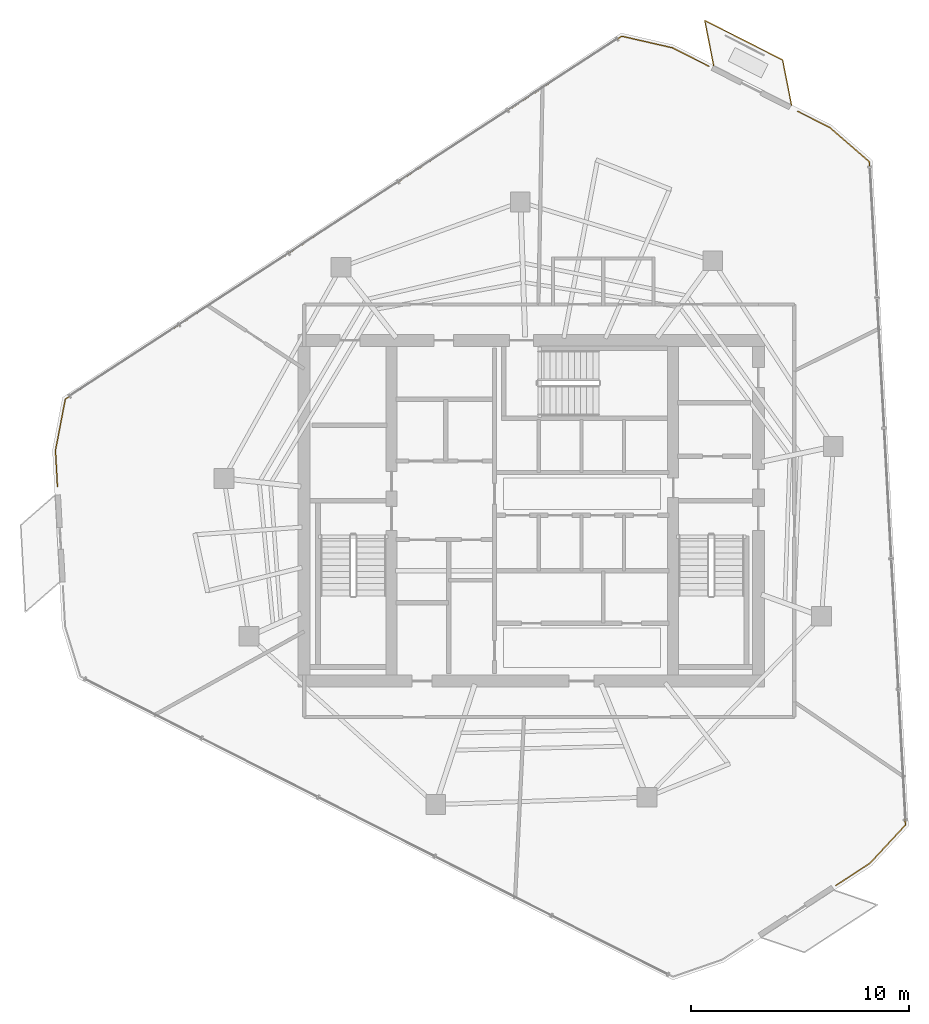
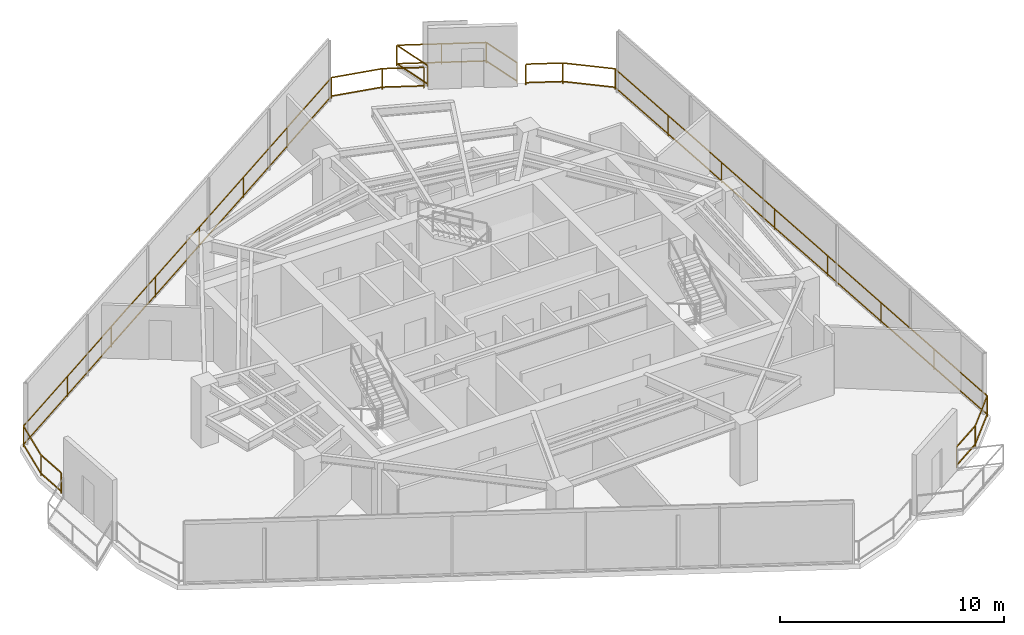
# One storey, part 18 of 18: 4 railings.
"""IFC4 building model written with IfcOpenShell, lengths in metres."""

from ifc_helpers import new_model, si_unit, direction, frame, origin, origin_2d, place, context, subcontext, project, spatial, rectangle, extrude, material, type_object, element, save


model = new_model("IFC4")

# Units and contexts
model_context = context("Model", 3, precision=1e-05, world=origin(), true_north=direction((0.0, 1.0)))
body_context = subcontext(model_context, "Body", "Model", "MODEL_VIEW")
ifc_project = project(units=[si_unit("LENGTHUNIT", "METRE"), si_unit("AREAUNIT", "SQUARE_METRE"), si_unit("VOLUMEUNIT", "CUBIC_METRE"), si_unit("PLANEANGLEUNIT", "RADIAN"), si_unit("MASSUNIT", "GRAM", prefix="KILO")], contexts=[model_context])

# Site, building, storey
site_placement = place(None, origin())
site = spatial("IfcSite", under=ifc_project, at=site_placement, CompositionType="ELEMENT")
building_placement = place(site_placement, origin())
building = spatial("IfcBuilding", under=site, at=building_placement, Name="Qarnah Convention Tower", CompositionType="ELEMENT")
storey_placement = place(building_placement, frame((0.0, 0.0, 191.39990234375)))
storey = spatial("IfcBuildingStorey", under=building, at=storey_placement, Name="L51", CompositionType="ELEMENT", Elevation=191.39990234375)

# Railings
ifc_material = material(Name="Black anodised aluminium", Category="aluminium")
railing_type = type_object("IfcRailingType", Name="RL-EXT-GUARD-1150", PredefinedType="GUARDRAIL", material=ifc_material)
railing_1_placement = place(storey_placement, frame((43.672119140625, 47.60107421875, 0.0)))
element("IfcRailing", 1, at=railing_1_placement, inside=storey, type_object=railing_type, Name="L51 slab-edge perimeter safety guard 01", PredefinedType="GUARDRAIL", context=body_context, shape_type="SweptSolid", body=[
    extrude(rectangle(XDim=0.048095703125, YDim=0.048095703125, at=origin_2d()), frame((0.0, 0.0, 1.1259765625), z_axis=(0.892032257886, -0.451971736828, 0.0), x_axis=(0.451971736828, 0.892032257886, 0.0)), (0.0, 0.0, 1.0), 1.865234375),
    extrude(rectangle(XDim=0.048095703125, YDim=0.048095703125, at=origin_2d()), frame((0.0, 0.0, 0.1201171875), z_axis=(0.892032257886, -0.451971736828, 0.0), x_axis=(0.451971736828, 0.892032257886, 0.0)), (0.0, 0.0, 1.0), 1.865234375),
    extrude(rectangle(XDim=0.0419921875, YDim=0.0419921875, at=origin_2d()), origin(), (0.0, 0.0, 1.0), 1.101806640625),
    extrude(rectangle(XDim=0.0419921875, YDim=0.0419921875, at=origin_2d()), frame((1.663818359375, -0.843017578125, 0.0)), (0.0, 0.0, 1.0), 1.101806640625),
])
railing_2_placement = place(storey_placement, frame((49.402099609375, 44.696044921875, 0.0)))
element("IfcRailing", 2, at=railing_2_placement, inside=storey, type_object=railing_type, Name="L51 slab-edge perimeter safety guard 02", PredefinedType="GUARDRAIL", context=body_context, shape_type="SweptSolid", body=[
    extrude(rectangle(XDim=0.048095703125, YDim=0.048095703125, at=origin_2d()), frame((0.0, 0.0, 1.1259765625), z_axis=(0.891964377871, -0.45210568301, 0.0), x_axis=(0.45210568301, 0.891964377871, 0.0)), (0.0, 0.0, 1.0), 1.654541015625),
    extrude(rectangle(XDim=0.048095703125, YDim=0.048095703125, at=origin_2d()), frame((0.0, 0.0, 0.1201171875), z_axis=(0.891964377871, -0.45210568301, 0.0), x_axis=(0.45210568301, 0.891964377871, 0.0)), (0.0, 0.0, 1.0), 1.654541015625),
    extrude(rectangle(XDim=0.048095703125, YDim=0.048095703125, at=origin_2d()), frame((1.475830078125, -0.748046875, 1.1259765625), z_axis=(0.755982699117, -0.654591596826, 0.0), x_axis=(0.654591596826, 0.755982699117, 0.0)), (0.0, 0.0, 1.0), 2.38623046875),
    extrude(rectangle(XDim=0.048095703125, YDim=0.048095703125, at=origin_2d()), frame((1.475830078125, -0.748046875, 0.1201171875), z_axis=(0.755982699117, -0.654591596826, 0.0), x_axis=(0.654591596826, 0.755982699117, 0.0)), (0.0, 0.0, 1.0), 2.38623046875),
    extrude(rectangle(XDim=0.048095703125, YDim=0.048095703125, at=origin_2d()), frame((3.27978515625, -2.31005859375, 1.1259765625), z_axis=(0.054466965951, -0.998515573048, 0.0), x_axis=(0.998515573048, 0.054466965951, 0.0)), (0.0, 0.0, 1.0), 30.42626953125),
    extrude(rectangle(XDim=0.048095703125, YDim=0.048095703125, at=origin_2d()), frame((3.27978515625, -2.31005859375, 0.1201171875), z_axis=(0.054466965951, -0.998515573048, 0.0), x_axis=(0.998515573048, 0.054466965951, 0.0)), (0.0, 0.0, 1.0), 30.42626953125),
    extrude(rectangle(XDim=0.048095703125, YDim=0.048095703125, at=origin_2d()), frame((4.93701171875, -32.691162109375, 1.1259765625), z_axis=(-0.680486412413, -0.732760699356, 0.0), x_axis=(0.732760699356, -0.680486412413, 0.0)), (0.0, 0.0, 1.0), 2.386474609375),
    extrude(rectangle(XDim=0.048095703125, YDim=0.048095703125, at=origin_2d()), frame((4.93701171875, -32.691162109375, 0.1201171875), z_axis=(-0.680486412413, -0.732760699356, 0.0), x_axis=(0.732760699356, -0.680486412413, 0.0)), (0.0, 0.0, 1.0), 2.386474609375),
    extrude(rectangle(XDim=0.048095703125, YDim=0.048095703125, at=origin_2d()), frame((3.31298828125, -34.43994140625, 1.1259765625), z_axis=(-0.837444009688, -0.546523129097, 0.0), x_axis=(0.546523129097, -0.837444009688, 0.0)), (0.0, 0.0, 1.0), 1.866455078125),
    extrude(rectangle(XDim=0.048095703125, YDim=0.048095703125, at=origin_2d()), frame((3.31298828125, -34.43994140625, 0.1201171875), z_axis=(-0.837444009688, -0.546523129097, 0.0), x_axis=(0.546523129097, -0.837444009688, 0.0)), (0.0, 0.0, 1.0), 1.866455078125),
    extrude(rectangle(XDim=0.0419921875, YDim=0.0419921875, at=origin_2d()), origin(), (0.0, 0.0, 1.0), 1.101806640625),
    extrude(rectangle(XDim=0.0419921875, YDim=0.0419921875, at=origin_2d()), frame((1.475830078125, -0.748046875, 0.0)), (0.0, 0.0, 1.0), 1.101806640625),
    extrude(rectangle(XDim=0.0419921875, YDim=0.0419921875, at=origin_2d()), frame((3.27978515625, -2.31005859375, 0.0)), (0.0, 0.0, 1.0), 1.101806640625),
    extrude(rectangle(XDim=0.0419921875, YDim=0.0419921875, at=origin_2d()), frame((3.5166015625, -6.650146484375, 0.0)), (0.0, 0.0, 1.0), 1.101806640625),
    extrude(rectangle(XDim=0.0419921875, YDim=0.0419921875, at=origin_2d()), frame((3.753173828125, -10.990478515625, 0.0)), (0.0, 0.0, 1.0), 1.101806640625),
    extrude(rectangle(XDim=0.0419921875, YDim=0.0419921875, at=origin_2d()), frame((3.989990234375, -15.33056640625, 0.0)), (0.0, 0.0, 1.0), 1.101806640625),
    extrude(rectangle(XDim=0.0419921875, YDim=0.0419921875, at=origin_2d()), frame((4.226806640625, -19.670654296875, 0.0)), (0.0, 0.0, 1.0), 1.101806640625),
    extrude(rectangle(XDim=0.0419921875, YDim=0.0419921875, at=origin_2d()), frame((4.463623046875, -24.0107421875, 0.0)), (0.0, 0.0, 1.0), 1.101806640625),
    extrude(rectangle(XDim=0.0419921875, YDim=0.0419921875, at=origin_2d()), frame((4.7001953125, -28.35107421875, 0.0)), (0.0, 0.0, 1.0), 1.101806640625),
    extrude(rectangle(XDim=0.0419921875, YDim=0.0419921875, at=origin_2d()), frame((4.93701171875, -32.691162109375, 0.0)), (0.0, 0.0, 1.0), 1.101806640625),
    extrude(rectangle(XDim=0.0419921875, YDim=0.0419921875, at=origin_2d()), frame((3.31298828125, -34.43994140625, 0.0)), (0.0, 0.0, 1.0), 1.101806640625),
    extrude(rectangle(XDim=0.0419921875, YDim=0.0419921875, at=origin_2d()), frame((1.75, -35.4599609375, 0.0)), (0.0, 0.0, 1.0), 1.101806640625),
])
railing_3_placement = place(storey_placement, frame((15.501953125, 27.511962890625, 0.0)))
element("IfcRailing", 3, at=railing_3_placement, inside=storey, type_object=railing_type, Name="L51 slab-edge perimeter safety guard 04", PredefinedType="GUARDRAIL", context=body_context, shape_type="SweptSolid", body=[
    extrude(rectangle(XDim=0.048095703125, YDim=0.048095703125, at=origin_2d()), frame((0.0, 0.0, 1.1259765625), z_axis=(-0.054301322724, 0.998524594765, 0.0), x_axis=(-0.998524594765, -0.054301322724, 0.0)), (0.0, 0.0, 1.0), 1.654541015625),
    extrude(rectangle(XDim=0.048095703125, YDim=0.048095703125, at=origin_2d()), frame((0.0, 0.0, 0.1201171875), z_axis=(-0.054301322724, 0.998524594765, 0.0), x_axis=(-0.998524594765, -0.054301322724, 0.0)), (0.0, 0.0, 1.0), 1.654541015625),
    extrude(rectangle(XDim=0.048095703125, YDim=0.048095703125, at=origin_2d()), frame((-0.08984375, 1.652099609375, 1.1259765625), z_axis=(0.188517317205, 0.982069865699, 0.0), x_axis=(-0.982069865699, 0.188517317205, 0.0)), (0.0, 0.0, 1.0), 2.38671875),
    extrude(rectangle(XDim=0.048095703125, YDim=0.048095703125, at=origin_2d()), frame((-0.08984375, 1.652099609375, 0.1201171875), z_axis=(0.188517317205, 0.982069865699, 0.0), x_axis=(-0.982069865699, 0.188517317205, 0.0)), (0.0, 0.0, 1.0), 2.38671875),
    extrude(rectangle(XDim=0.048095703125, YDim=0.048095703125, at=origin_2d()), frame((0.360107421875, 3.99609375, 1.1259765625), z_axis=(0.837534288623, 0.54638476862, 0.0), x_axis=(-0.54638476862, 0.837534288623, 0.0)), (0.0, 0.0, 1.0), 30.42724609375),
    extrude(rectangle(XDim=0.048095703125, YDim=0.048095703125, at=origin_2d()), frame((0.360107421875, 3.99609375, 0.1201171875), z_axis=(0.837534288623, 0.54638476862, 0.0), x_axis=(-0.54638476862, 0.837534288623, 0.0)), (0.0, 0.0, 1.0), 30.42724609375),
    extrude(rectangle(XDim=0.048095703125, YDim=0.048095703125, at=origin_2d()), frame((25.843994140625, 20.62109375, 1.1259765625), z_axis=(0.974832465423, -0.222938700898, 0.0), x_axis=(0.222938700898, 0.974832465423, 0.0)), (0.0, 0.0, 1.0), 2.38623046875),
    extrude(rectangle(XDim=0.048095703125, YDim=0.048095703125, at=origin_2d()), frame((25.843994140625, 20.62109375, 0.1201171875), z_axis=(0.974832465423, -0.222938700898, 0.0), x_axis=(0.222938700898, 0.974832465423, 0.0)), (0.0, 0.0, 1.0), 2.38623046875),
    extrude(rectangle(XDim=0.0419921875, YDim=0.0419921875, at=origin_2d()), origin(), (0.0, 0.0, 1.0), 1.101806640625),
    extrude(rectangle(XDim=0.0419921875, YDim=0.0419921875, at=origin_2d()), frame((-0.08984375, 1.652099609375, 0.0)), (0.0, 0.0, 1.0), 1.101806640625),
    extrude(rectangle(XDim=0.0419921875, YDim=0.0419921875, at=origin_2d()), frame((0.360107421875, 3.99609375, 0.0)), (0.0, 0.0, 1.0), 1.101806640625),
    extrude(rectangle(XDim=0.0419921875, YDim=0.0419921875, at=origin_2d()), frame((4.000732421875, 6.37109375, 0.0)), (0.0, 0.0, 1.0), 1.101806640625),
    extrude(rectangle(XDim=0.0419921875, YDim=0.0419921875, at=origin_2d()), frame((7.64111328125, 8.74609375, 0.0)), (0.0, 0.0, 1.0), 1.101806640625),
    extrude(rectangle(XDim=0.0419921875, YDim=0.0419921875, at=origin_2d()), frame((11.28173828125, 11.12109375, 0.0)), (0.0, 0.0, 1.0), 1.101806640625),
    extrude(rectangle(XDim=0.0419921875, YDim=0.0419921875, at=origin_2d()), frame((14.92236328125, 13.49609375, 0.0)), (0.0, 0.0, 1.0), 1.101806640625),
    extrude(rectangle(XDim=0.0419921875, YDim=0.0419921875, at=origin_2d()), frame((18.56298828125, 15.87109375, 0.0)), (0.0, 0.0, 1.0), 1.101806640625),
    extrude(rectangle(XDim=0.0419921875, YDim=0.0419921875, at=origin_2d()), frame((22.203369140625, 18.24609375, 0.0)), (0.0, 0.0, 1.0), 1.101806640625),
    extrude(rectangle(XDim=0.0419921875, YDim=0.0419921875, at=origin_2d()), frame((25.843994140625, 20.62109375, 0.0)), (0.0, 0.0, 1.0), 1.101806640625),
    extrude(rectangle(XDim=0.0419921875, YDim=0.0419921875, at=origin_2d()), frame((28.170166015625, 20.089111328125, 0.0)), (0.0, 0.0, 1.0), 1.101806640625),
])
railing_4_placement = place(storey_placement, frame((45.552001953125, 46.799072265625, 0.0)))
element("IfcRailing", 4, at=railing_4_placement, inside=storey, type_object=railing_type, Name="L51 balcony safety guard BAL-L51-C1", PredefinedType="GUARDRAIL", context=body_context, shape_type="SweptSolid", body=[
    extrude(rectangle(XDim=0.048095703125, YDim=0.048095703125, at=origin_2d()), frame((0.0, 0.0, 1.1259765625), z_axis=(-0.192482702283, 0.981300366515, 0.0), x_axis=(-0.981300366515, -0.192482702283, 0.0)), (0.0, 0.0, 1.0), 2.093994140625),
    extrude(rectangle(XDim=0.048095703125, YDim=0.048095703125, at=origin_2d()), frame((0.0, 0.0, 0.1201171875), z_axis=(-0.192482702283, 0.981300366515, 0.0), x_axis=(-0.981300366515, -0.192482702283, 0.0)), (0.0, 0.0, 1.0), 2.093994140625),
    extrude(rectangle(XDim=0.048095703125, YDim=0.048095703125, at=origin_2d()), frame((-0.403076171875, 2.054931640625, 1.1259765625), z_axis=(0.891861145549, -0.452309293581, 0.0), x_axis=(0.452309293581, 0.891861145549, 0.0)), (0.0, 0.0, 1.0), 3.999755859375),
    extrude(rectangle(XDim=0.048095703125, YDim=0.048095703125, at=origin_2d()), frame((-0.403076171875, 2.054931640625, 0.1201171875), z_axis=(0.891861145549, -0.452309293581, 0.0), x_axis=(0.452309293581, 0.891861145549, 0.0)), (0.0, 0.0, 1.0), 3.999755859375),
    extrude(rectangle(XDim=0.048095703125, YDim=0.048095703125, at=origin_2d()), frame((3.1640625, 0.245849609375, 1.1259765625), z_axis=(0.193020019586, -0.981194818596, 0.0), x_axis=(0.981194818596, 0.193020019586, 0.0)), (0.0, 0.0, 1.0), 2.09326171875),
    extrude(rectangle(XDim=0.048095703125, YDim=0.048095703125, at=origin_2d()), frame((3.1640625, 0.245849609375, 0.1201171875), z_axis=(0.193020019586, -0.981194818596, 0.0), x_axis=(0.981194818596, 0.193020019586, 0.0)), (0.0, 0.0, 1.0), 2.09326171875),
    extrude(rectangle(XDim=0.0419921875, YDim=0.0419921875, at=origin_2d()), origin(), (0.0, 0.0, 1.0), 1.101806640625),
    extrude(rectangle(XDim=0.0419921875, YDim=0.0419921875, at=origin_2d()), frame((-0.403076171875, 2.054931640625, 0.0)), (0.0, 0.0, 1.0), 1.101806640625),
    extrude(rectangle(XDim=0.0419921875, YDim=0.0419921875, at=origin_2d()), frame((1.38037109375, 1.150390625, 0.0)), (0.0, 0.0, 1.0), 1.101806640625),
    extrude(rectangle(XDim=0.0419921875, YDim=0.0419921875, at=origin_2d()), frame((3.1640625, 0.245849609375, 0.0)), (0.0, 0.0, 1.0), 1.101806640625),
    extrude(rectangle(XDim=0.0419921875, YDim=0.0419921875, at=origin_2d()), frame((3.568115234375, -1.80810546875, 0.0)), (0.0, 0.0, 1.0), 1.101806640625),
])

save(model, "model.ifc")
